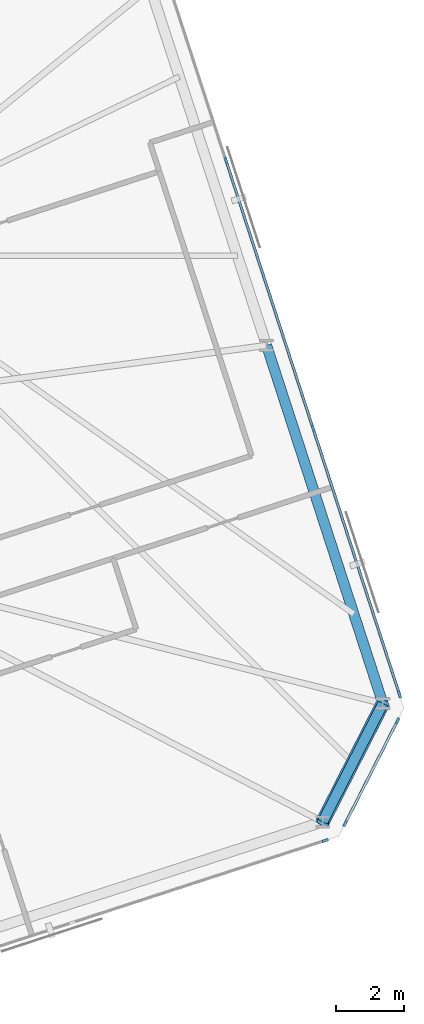
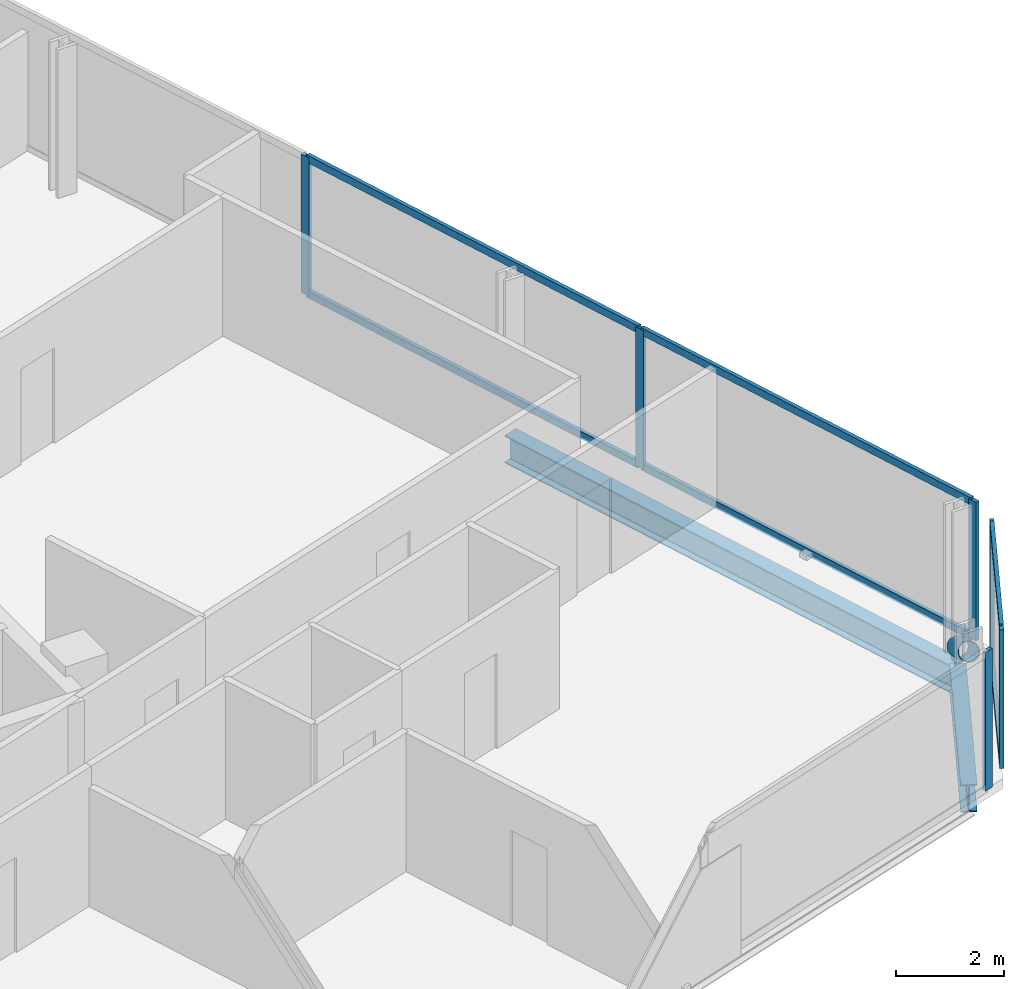
# One storey, part 11 of 19: 13 members, 2 beams, 3 elements without a shape of their own.
"""IFC4 building model written with IfcOpenShell, lengths in metres."""

from ifc_helpers import new_model, si_unit, direction, frame, origin, origin_2d, place, context, subcontext, project, spatial, rectangle, hollow_circle, i_section, extrude, material, material_profile, profile_set, type_object, element, aggregate, save


model = new_model("IFC4")

# Units and contexts
model_context = context("Model", 3, precision=1e-05, world=origin(), true_north=direction((0.0, 1.0)))
body_context = subcontext(model_context, "Body", "Model", "MODEL_VIEW")
ifc_project = project(units=[si_unit("LENGTHUNIT", "METRE"), si_unit("AREAUNIT", "SQUARE_METRE"), si_unit("VOLUMEUNIT", "CUBIC_METRE"), si_unit("PLANEANGLEUNIT", "RADIAN"), si_unit("MASSUNIT", "GRAM", prefix="KILO")], contexts=[model_context])

# Site, building, storey
site_placement = place(None, origin())
site = spatial("IfcSite", under=ifc_project, at=site_placement, CompositionType="ELEMENT")
building_placement = place(site_placement, origin())
building = spatial("IfcBuilding", under=site, at=building_placement, Name="Menara Jurai Vektor", CompositionType="ELEMENT")
storey_placement = place(building_placement, frame((0.0, 0.0, 241.050048828125)))
storey = spatial("IfcBuildingStorey", under=building, at=storey_placement, Name="L64", CompositionType="ELEMENT", Elevation=241.050048828125)

# Curtain wall, member
ifc_material_1 = material(Name="Anodised Pale Aluminium & Low-E Double Glazing", Category="aluminium")
curtain_wall_type = type_object("IfcCurtainWallType", Name="CW-BLK4", PredefinedType="NOTDEFINED", material=ifc_material_1)
curtain_wall_1_placement = place(storey_placement, origin())
curtain_wall_1 = element("IfcCurtainWall", 1, at=curtain_wall_1_placement, inside=storey, type_object=curtain_wall_type, Name="Unitised Curtain Wall L64 F01", PredefinedType="NOTDEFINED")
ifc_material_2 = material(Name="Anodised Pale Aluminium Mullion", Category="aluminium")
ifc_material_profile_1 = material_profile(ifc_material_2, rectangle(XDim=0.080078125, YDim=0.18994140625, at=origin_2d()), Name="ALU MUL 80x190")
ifc_profile_set_1 = profile_set([ifc_material_profile_1], Name="Anodised Pale Aluminium Mullion")
member_type_1 = type_object("IfcMemberType", Name="CW-BLK4-MUL", PredefinedType="MULLION", material=ifc_profile_set_1)
member_1_placement = place(storey_placement, frame((29.810546875, -12.698486328125, 0.0), z_axis=(0.0, 0.0, 1.0), x_axis=(-0.309017344167, 0.951056402641, 0.0)))
member_1 = element("IfcMember", 2, at=member_1_placement, type_object=member_type_1, Name="CW-04 mullion 8", PredefinedType="MULLION", context=body_context, shape_type="SweptSolid", body=[
    extrude(rectangle(XDim=0.080078125, YDim=0.18994140625, at=origin_2d()), origin(), (0.0, 0.0, 1.0), 3.125),
])
aggregate(curtain_wall_1, [member_1])

# Curtain wall, members
curtain_wall_2_placement = place(storey_placement, origin())
curtain_wall_2 = element("IfcCurtainWall", 3, at=curtain_wall_2_placement, inside=storey, type_object=curtain_wall_type, Name="Unitised Curtain Wall L64 F02", PredefinedType="NOTDEFINED")
member_2_placement = place(storey_placement, frame((30.400634765625, -12.194580078125, 0.0), z_axis=(0.0, 0.0, 1.0), x_axis=(-0.89100750243, 0.453988579828, 0.0)))
member_2 = element("IfcMember", 4, at=member_2_placement, type_object=member_type_1, Name="CW-04 mullion 1", PredefinedType="MULLION", context=body_context, shape_type="SweptSolid", body=[
    extrude(rectangle(XDim=0.080078125, YDim=0.18994140625, at=origin_2d()), origin(), (0.0, 0.0, 1.0), 3.125),
])
member_3_placement = place(storey_placement, frame((31.9453125, -9.16259765625, 0.0), z_axis=(0.0, 0.0, 1.0), x_axis=(-0.89100750243, 0.453988579828, 0.0)))
member_3 = element("IfcMember", 5, at=member_3_placement, type_object=member_type_1, Name="CW-04 mullion 2", PredefinedType="MULLION", context=body_context, shape_type="SweptSolid", body=[
    extrude(rectangle(XDim=0.080078125, YDim=0.18994140625, at=origin_2d()), origin(), (0.0, 0.0, 1.0), 3.125),
])

curtain_wall_3_placement = place(storey_placement, origin())
curtain_wall_3 = element("IfcCurtainWall", 6, at=curtain_wall_3_placement, inside=storey, type_object=curtain_wall_type, Name="Unitised Curtain Wall L64 F03", PredefinedType="NOTDEFINED")
member_4_placement = place(storey_placement, frame((32.00634765625, -8.388916015625, 0.0), z_axis=(0.0, 0.0, 1.0), x_axis=(-0.95105668295, -0.309016481464, 0.0)))
member_4 = element("IfcMember", 7, at=member_4_placement, type_object=member_type_1, Name="CW-04 mullion 1", PredefinedType="MULLION", context=body_context, shape_type="SweptSolid", body=[
    extrude(rectangle(XDim=0.080078125, YDim=0.18994140625, at=origin_2d()), origin(), (0.0, 0.0, 1.0), 3.125),
])
member_5_placement = place(storey_placement, frame((29.45068359375, -0.523681640625, 0.0), z_axis=(0.0, 0.0, 1.0), x_axis=(-0.95105668295, -0.309016481464, 0.0)))
member_5 = element("IfcMember", 8, at=member_5_placement, type_object=member_type_1, Name="CW-04 mullion 2", PredefinedType="MULLION", context=body_context, shape_type="SweptSolid", body=[
    extrude(rectangle(XDim=0.080078125, YDim=0.18994140625, at=origin_2d()), origin(), (0.0, 0.0, 1.0), 3.125),
])
member_6_placement = place(storey_placement, frame((26.8828125, 7.379638671875, 0.0), z_axis=(0.0, 0.0, 1.0), x_axis=(-0.95105668295, -0.309016481464, 0.0)))
member_6 = element("IfcMember", 9, at=member_6_placement, type_object=member_type_1, Name="CW-04 mullion 3", PredefinedType="MULLION", context=body_context, shape_type="SweptSolid", body=[
    extrude(rectangle(XDim=0.080078125, YDim=0.18994140625, at=origin_2d()), origin(), (0.0, 0.0, 1.0), 3.125),
])

# Member
ifc_material_3 = material(Name="Anodised Pale Aluminium Transom", Category="aluminium")
ifc_material_profile_2 = material_profile(ifc_material_3, rectangle(XDim=0.080078125, YDim=0.1650390625, at=origin_2d()), Name="ALU TRN 80x165")
ifc_profile_set_2 = profile_set([ifc_material_profile_2], Name="Anodised Pale Aluminium Transom")
member_type_2 = type_object("IfcMemberType", Name="CW-BLK4-TRN", PredefinedType="USERDEFINED", material=ifc_profile_set_2)
member_7_placement = place(storey_placement, frame((30.418701171875, -12.158935546875, 0.0400390625), z_axis=(0.453989617444, 0.89100697374, 0.0), x_axis=(-0.89100697374, 0.453989617444, 0.0)))
member_7 = element("IfcMember", 10, at=member_7_placement, type_object=member_type_2, Name="CW-04 transom 1.1", ObjectType="TRANSOM", PredefinedType="USERDEFINED", context=body_context, shape_type="SweptSolid", body=[
    extrude(rectangle(XDim=0.080078125, YDim=0.1650390625, at=origin_2d()), origin(), (0.0, 0.0, 1.0), 3.32275390625),
])

member_8_placement = place(storey_placement, frame((30.418701171875, -12.158935546875, 3.0849609375), z_axis=(0.453989617444, 0.89100697374, 0.0), x_axis=(-0.89100697374, 0.453989617444, 0.0)))
member_8 = element("IfcMember", 11, at=member_8_placement, type_object=member_type_2, Name="CW-04 transom 1.2", ObjectType="TRANSOM", PredefinedType="USERDEFINED", context=body_context, shape_type="SweptSolid", body=[
    extrude(rectangle(XDim=0.080078125, YDim=0.1650390625, at=origin_2d()), origin(), (0.0, 0.0, 1.0), 3.32275390625),
])

aggregate(curtain_wall_2, [member_2, member_3, member_7, member_8])

member_9_placement = place(storey_placement, frame((31.993896484375, -8.350830078125, 0.0400390625), z_axis=(-0.309010577384, 0.951058601278, 0.0), x_axis=(-0.951058601278, -0.309010577384, 0.0)))
member_9 = element("IfcMember", 12, at=member_9_placement, type_object=member_type_2, Name="CW-04 transom 1.1", ObjectType="TRANSOM", PredefinedType="USERDEFINED", context=body_context, shape_type="SweptSolid", body=[
    extrude(rectangle(XDim=0.080078125, YDim=0.1650390625, at=origin_2d()), origin(), (0.0, 0.0, 1.0), 8.18994140625),
])

member_10_placement = place(storey_placement, frame((31.993896484375, -8.350830078125, 3.0849609375), z_axis=(-0.309010577384, 0.951058601278, 0.0), x_axis=(-0.951058601278, -0.309010577384, 0.0)))
member_10 = element("IfcMember", 13, at=member_10_placement, type_object=member_type_2, Name="CW-04 transom 1.2", ObjectType="TRANSOM", PredefinedType="USERDEFINED", context=body_context, shape_type="SweptSolid", body=[
    extrude(rectangle(XDim=0.080078125, YDim=0.1650390625, at=origin_2d()), origin(), (0.0, 0.0, 1.0), 8.18994140625),
])

member_11_placement = place(storey_placement, frame((29.438232421875, -0.485595703125, 0.0400390625), z_axis=(-0.309018994408, 0.951055866443, 0.0), x_axis=(-0.951055866443, -0.309018994408, 0.0)))
member_11 = element("IfcMember", 14, at=member_11_placement, type_object=member_type_2, Name="CW-04 transom 2.1", ObjectType="TRANSOM", PredefinedType="USERDEFINED", context=body_context, shape_type="SweptSolid", body=[
    extrude(rectangle(XDim=0.080078125, YDim=0.1650390625, at=origin_2d()), origin(), (0.0, 0.0, 1.0), 8.22998046875),
])

member_12_placement = place(storey_placement, frame((29.438232421875, -0.485595703125, 3.0849609375), z_axis=(-0.309018994408, 0.951055866443, 0.0), x_axis=(-0.951055866443, -0.309018994408, 0.0)))
member_12 = element("IfcMember", 15, at=member_12_placement, type_object=member_type_2, Name="CW-04 transom 2.2", ObjectType="TRANSOM", PredefinedType="USERDEFINED", context=body_context, shape_type="SweptSolid", body=[
    extrude(rectangle(XDim=0.080078125, YDim=0.1650390625, at=origin_2d()), origin(), (0.0, 0.0, 1.0), 8.22998046875),
])

aggregate(curtain_wall_3, [member_4, member_5, member_6, member_9, member_10, member_11, member_12])

ifc_material_4 = material(Name="Steel S460", Category="steel")
ifc_material_profile_3 = material_profile(ifc_material_4, hollow_circle(Radius=0.203125, WallThickness=0.01611328125, at=origin_2d()), Name="CHS 406.4x16")
ifc_profile_set_3 = profile_set([ifc_material_profile_3], Name="Steel S460")
member_type_3 = type_object("IfcMemberType", Name="STR-BR-406", PredefinedType="BRACE", material=ifc_profile_set_3)
member_13_placement = place(storey_placement, frame((31.513427734375, -8.652099609375, 0.14990234375), z_axis=(-0.377239531316, -0.740351985533, 0.55638949804), x_axis=(0.891000997215, -0.454001346872, 0.0)))
element("IfcMember", 16, at=member_13_placement, inside=storey, type_object=member_type_3, Name="Exoskeleton Corner Brace L64-1", PredefinedType="BRACE", context=body_context, shape_type="SweptSolid", body=[
    extrude(hollow_circle(Radius=0.203125, WallThickness=0.01611328125, at=origin_2d()), origin(), (0.0, 0.0, 1.0), 4.718017578125),
])

# Beams
ifc_material_5 = material(Name="Steel S355", Category="steel")
ifc_material_profile_4 = material_profile(ifc_material_5, i_section(OverallWidth=0.306884765625, OverallDepth=0.6201171875, WebThickness=0.013916015625, FlangeThickness=0.02392578125, FilletRadius=0.01708984375, at=origin_2d()), Name="UKB 610x305x179")
ifc_profile_set_4 = profile_set([ifc_material_profile_4], Name="Steel S355")
beam_type = type_object("IfcBeamType", Name="STR-SP-610", PredefinedType="SPANDREL", material=ifc_profile_set_4)
beam_1_placement = place(storey_placement, frame((29.7333984375, -12.14501953125, -0.53515625), z_axis=(0.454050785633, 0.890975804423, 0.0), x_axis=(-0.890975804423, 0.454050785633, 0.0)))
element("IfcBeam", 17, at=beam_1_placement, inside=storey, type_object=beam_type, Name="Exoskeleton Spandrel Beam L64-06", PredefinedType="SPANDREL", context=body_context, shape_type="SweptSolid", body=[
    extrude(i_section(OverallWidth=0.306884765625, OverallDepth=0.6201171875, WebThickness=0.013916015625, FlangeThickness=0.02392578125, FilletRadius=0.01708984375, at=origin_2d()), origin(), (0.0, 0.0, 1.0), 3.92041015625),
])
beam_2_placement = place(storey_placement, frame((31.513427734375, -8.652099609375, -0.53515625), z_axis=(-0.309012092614, 0.95105810896, 0.0), x_axis=(-0.95105810896, -0.309012092614, 0.0)))
element("IfcBeam", 18, at=beam_2_placement, inside=storey, type_object=beam_type, Name="Exoskeleton Spandrel Beam L64-07", PredefinedType="SPANDREL", context=body_context, shape_type="SweptSolid", body=[
    extrude(i_section(OverallWidth=0.306884765625, OverallDepth=0.6201171875, WebThickness=0.013916015625, FlangeThickness=0.02392578125, FilletRadius=0.01708984375, at=origin_2d()), origin(), (0.0, 0.0, 1.0), 11.11865234375),
])

save(model, "model.ifc")
